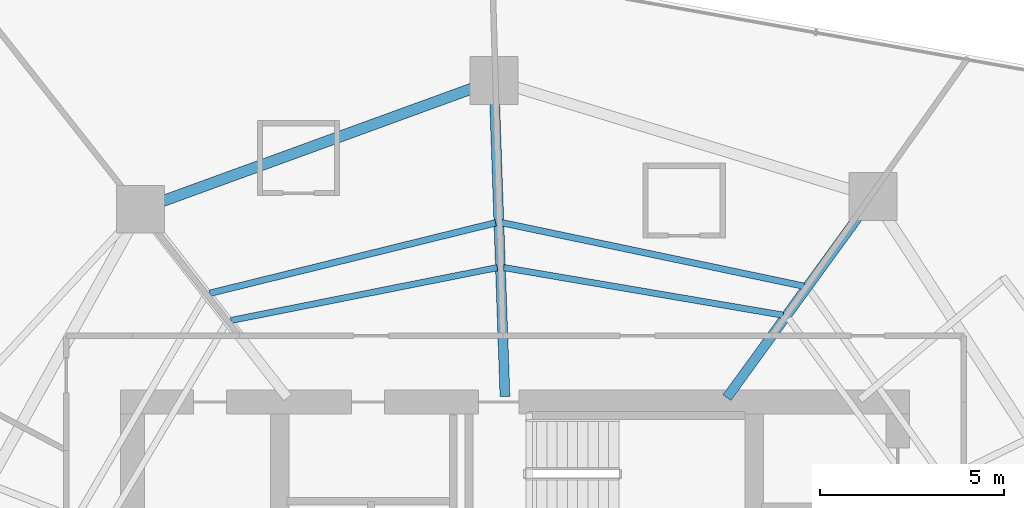
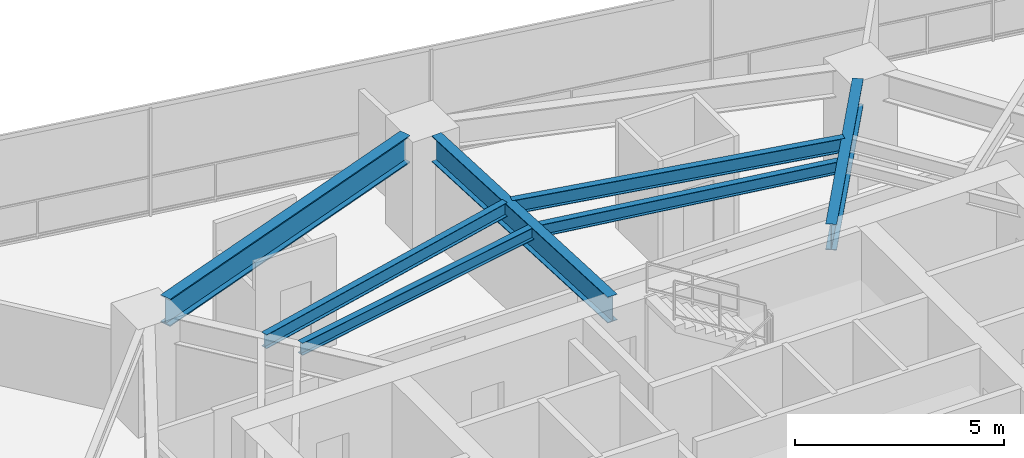
# One storey, part 20 of 33: 7 beams.
"""IFC4 building model written with IfcOpenShell, lengths in metres."""

import ifcopenshell
import ifcopenshell.guid

model = None  # the IFC model being written
_history = None  # IfcOwnerHistory: only IFC2X3 demands one
_inside = {}  # id of a spatial element -> (the spatial element, [elements in it])
_under = {}  # id of a project, library or spatial element -> (it, [spatial elements below it])
_declared = {}  # id of a project -> (the project, [libraries it declares])
_typed = {}  # id of a type object -> (the type object, [elements of that type])
_made_of = {}  # id of a material, layer set ... -> (it, [elements and type objects made of it])


def new_model(schema):
    """Start an empty IFC model of exactly this schema.

    Asked for "IFC4X3", IfcOpenShell would pick the latest addendum, in which some entities
    have other attributes; the version numbers below select the first issue.
    IFC2X3 requires an IfcOwnerHistory on every rooted entity: one is made here for all.
    """
    global model, _history
    if schema == "IFC4X3":
        model = ifcopenshell.file(schema_version=(4, 3, 0, 0))
    else:
        model = ifcopenshell.file(schema=schema)
    _inside.clear()
    _under.clear()
    _declared.clear()
    _typed.clear()
    _made_of.clear()
    _history = None
    if model.schema == "IFC2X3":
        org = make("IfcOrganization", Name="unknown")
        user = make(
            "IfcPersonAndOrganization",
            ThePerson=make("IfcPerson", FamilyName="unknown"),
            TheOrganization=org,
        )
        app = make(
            "IfcApplication",
            ApplicationDeveloper=org,
            Version="unknown",
            ApplicationFullName="unknown",
            ApplicationIdentifier="unknown",
        )
        _history = make(
            "IfcOwnerHistory",
            OwningUser=user,
            OwningApplication=app,
            ChangeAction="ADDED",
            CreationDate=0,
        )
    return model


def make(cls, **values):
    """One entity of the class cls with the attributes given. An attribute that is None is left unset."""
    return model.create_entity(
        cls, **{name: value for name, value in values.items() if value is not None}
    )


def rooted(cls, **values):
    """An entity with a GlobalId (a new one), such as an element, a storey or a relation."""
    return make(cls, GlobalId=ifcopenshell.guid.new(), OwnerHistory=_history, **values)


def si_unit(unit_type, name, prefix=None):
    """IfcSIUnit, for example si_unit("LENGTHUNIT", "METRE", prefix="MILLI")."""
    return make("IfcSIUnit", UnitType=unit_type, Prefix=prefix, Name=name)


def assignment(units):
    """IfcUnitAssignment: the units of a project."""
    return None if units is None else make("IfcUnitAssignment", Units=units)


def point(xyz):
    """IfcCartesianPoint."""
    return None if xyz is None else make("IfcCartesianPoint", Coordinates=xyz)


def direction(xyz):
    """IfcDirection."""
    return None if xyz is None else make("IfcDirection", DirectionRatios=xyz)


def frame(location, z_axis=None, x_axis=None):
    """IfcAxis2Placement3D, a coordinate frame: its origin and axes. An axis left out is left unset."""
    return make(
        "IfcAxis2Placement3D",
        Location=point(location),
        Axis=direction(z_axis),
        RefDirection=direction(x_axis),
    )


def frame_2d(location, x_axis=None):
    """IfcAxis2Placement2D, a coordinate frame in the plane: its origin and x axis."""
    return make(
        "IfcAxis2Placement2D", Location=point(location), RefDirection=direction(x_axis)
    )


def origin():
    """The frame at (0, 0, 0) with its axes left unset."""
    return frame((0.0, 0.0, 0.0))


def origin_2d():
    """The frame at (0, 0) in the plane with its x axis left unset."""
    return frame_2d((0.0, 0.0))


def place(relative_to, where):
    """IfcLocalPlacement: puts the frame where relative to a parent placement (None: the world)."""
    return make(
        "IfcLocalPlacement", PlacementRelTo=relative_to, RelativePlacement=where
    )


def context(
    kind, dimensions, precision=None, world=None, true_north=None, identifier=None
):
    """IfcGeometricRepresentationContext, for example the 3D "Model" context."""
    return make(
        "IfcGeometricRepresentationContext",
        ContextIdentifier=identifier,
        ContextType=kind,
        CoordinateSpaceDimension=dimensions,
        Precision=precision,
        WorldCoordinateSystem=world,
        TrueNorth=true_north,
    )


def subcontext(parent, identifier, kind, view, scale=None):
    """IfcGeometricRepresentationSubContext, for example "Body" below "Model"."""
    return make(
        "IfcGeometricRepresentationSubContext",
        ContextIdentifier=identifier,
        ContextType=kind,
        ParentContext=parent,
        TargetScale=scale,
        TargetView=view,
    )


def project(units=None, contexts=None):
    """IfcProject with its units and contexts."""
    return rooted(
        "IfcProject",
        Name="project",
        RepresentationContexts=contexts,
        UnitsInContext=assignment(units),
    )


def spatial(cls, under=None, at=None, **own):
    """A site, building, storey or space (cls), placed at a placement, below another one or the project."""
    s = rooted(cls, ObjectPlacement=at, **own)
    if under is not None:
        _under.setdefault(under.id(), (under, []))[1].append(s)
    return s


def profile(cls, at=None, kind="AREA", **sizes):
    """A parametric profile (cls). Its sizes go by their IFC names, for example OverallWidth=200.0."""
    return make(cls, ProfileType=kind, Position=at, **sizes)


def i_section(**sizes):
    """IfcIShapeProfileDef."""
    return profile("IfcIShapeProfileDef", **sizes)


def extrude(swept, where, along, depth):
    """IfcExtrudedAreaSolid: the profile swept, set in the frame where, extruded along a direction by depth."""
    return make(
        "IfcExtrudedAreaSolid",
        SweptArea=swept,
        Position=where,
        ExtrudedDirection=direction(along),
        Depth=depth,
    )


def shape(context_of_items, identifier, shape_type, items):
    """IfcShapeRepresentation: the items that make up one representation, for example the "Body"."""
    return make(
        "IfcShapeRepresentation",
        ContextOfItems=context_of_items,
        RepresentationIdentifier=identifier,
        RepresentationType=shape_type,
        Items=items,
    )


def material(Name=None, Category=None):
    """IfcMaterial."""
    return make("IfcMaterial", Name=Name, Category=Category)


def material_profile(
    of_material, cross_section, Name=None, Category=None, Priority=None
):
    """IfcMaterialProfile: a cross section and its material."""
    return make(
        "IfcMaterialProfile",
        Name=Name,
        Material=of_material,
        Profile=cross_section,
        Priority=Priority,
        Category=Category,
    )


def profile_set(profiles, Name=None, composite=None):
    """IfcMaterialProfileSet."""
    return make(
        "IfcMaterialProfileSet",
        Name=Name,
        MaterialProfiles=profiles,
        CompositeProfile=composite,
    )


def made_of(thing, what):
    """Note that an element or type object is made of a material, layer set ...; save() writes the relation."""
    if what is not None:
        _made_of.setdefault(what.id(), (what, []))[1].append(thing)
    return thing


def type_object(cls, material=None, **own):
    """A type object (cls), such as IfcWallType, which elements share."""
    return made_of(rooted(cls, **own), material)


def element(
    cls,
    number,
    at=None,
    inside=None,
    cuts=None,
    type_object=None,
    material=None,
    context=None,
    identifier="Body",
    shape_type=None,
    held_by="IfcProductDefinitionShape",
    body=None,
    shapes=None,
    **own,
):
    """One element of the class cls, such as IfcWall. Its Tag is "e" and its number.

    at: its placement. inside: the storey or other place that contains it. cuts: it is an
    opening in that element (IfcRelVoidsElement). A single representation is given by context,
    identifier, shape_type and body (its items); several are given by shapes. held_by: the class
    of the entity that holds the representations. save() writes the other relations.
    """
    e = rooted(cls, Tag="e%d" % number, ObjectPlacement=at, **own)
    if body is not None:
        shapes = [shape(context, identifier, shape_type, body)]
    if shapes is not None:
        e.Representation = make(held_by, Representations=shapes)
    if inside is not None:
        _inside.setdefault(inside.id(), (inside, []))[1].append(e)
    if cuts is not None:
        rooted(
            "IfcRelVoidsElement", RelatingBuildingElement=cuts, RelatedOpeningElement=e
        )
    if type_object is not None:
        _typed.setdefault(type_object.id(), (type_object, []))[1].append(e)
    return made_of(e, material)


def aggregate(whole, parts):
    """IfcRelAggregates: a whole, such as a stair, and the parts it consists of."""
    return rooted("IfcRelAggregates", RelatingObject=whole, RelatedObjects=parts)


def save(model, path):
    """Write the relations noted so far, then the file.

    IfcRelAggregates (storeys below a building ...), IfcRelContainedInSpatialStructure (elements
    in a storey), IfcRelDefinesByType, IfcRelAssociatesMaterial and IfcRelDeclares: one each for
    every whole, place, type object, material and project.
    """
    for whole, parts in _under.values():
        aggregate(whole, parts)
    for where, things in _inside.values():
        rooted(
            "IfcRelContainedInSpatialStructure",
            RelatedElements=things,
            RelatingStructure=where,
        )
    for kind, things in _typed.values():
        rooted("IfcRelDefinesByType", RelatedObjects=things, RelatingType=kind)
    for what, things in _made_of.values():
        rooted("IfcRelAssociatesMaterial", RelatedObjects=things, RelatingMaterial=what)
    for by, libraries in _declared.values():
        rooted("IfcRelDeclares", RelatingContext=by, RelatedDefinitions=libraries)
    model.write(path)


model = new_model("IFC4")

# Units and contexts
model_context = context("Model", 3, precision=1e-05, world=origin(), true_north=direction((0.0, 1.0)))
body_context = subcontext(model_context, "Body", "Model", "MODEL_VIEW")
ifc_project = project(units=[si_unit("LENGTHUNIT", "METRE"), si_unit("AREAUNIT", "SQUARE_METRE"), si_unit("VOLUMEUNIT", "CUBIC_METRE"), si_unit("PLANEANGLEUNIT", "RADIAN"), si_unit("MASSUNIT", "GRAM", prefix="KILO")], contexts=[model_context])

# Site, building, storey
site_placement = place(None, origin())
site = spatial("IfcSite", under=ifc_project, at=site_placement, CompositionType="ELEMENT")
building_placement = place(site_placement, origin())
building = spatial("IfcBuilding", under=site, at=building_placement, Name="Qarnah Convention Tower", CompositionType="ELEMENT")
storey_placement = place(building_placement, frame((0.0, 0.0, 30.449951171875)))
storey = spatial("IfcBuildingStorey", under=building, at=storey_placement, Name="L06", CompositionType="ELEMENT", Elevation=30.449951171875)

# Beams
ifc_material = material(Name="Structural steel S355JR", Category="steel")
ifc_material_profile_1 = material_profile(ifc_material, i_section(OverallWidth=0.172119140625, OverallDepth=0.35595703125, WebThickness=0.007080078125, FlangeThickness=0.011962890625, at=origin_2d()), Name="W360X51")
ifc_profile_set_1 = profile_set([ifc_material_profile_1], Name="Structural steel S355JR")
beam_type_1 = type_object("IfcBeamType", Name="BM-JST-W360", PredefinedType="JOIST", material=ifc_profile_set_1)
beam_1_placement = place(storey_placement, frame((44.48388671875, 36.56201171875, 2.991943359375), z_axis=(-0.985799304286, 0.167927757295, 0.0), x_axis=(-0.167927757295, -0.985799304286, 0.0)))
element("IfcBeam", 1, at=beam_1_placement, inside=storey, type_object=beam_type_1, Name="L06 joist BM-L06-IJST-02", PredefinedType="JOIST", context=body_context, shape_type="SweptSolid", body=[
    extrude(i_section(OverallWidth=0.172119140625, OverallDepth=0.35595703125, WebThickness=0.007080078125, FlangeThickness=0.011962890625, at=origin_2d()), origin(), (0.0, 0.0, 1.0), 7.705322265625),
])
beam_2_placement = place(storey_placement, frame((36.7109375, 37.85400390625, 2.991943359375), z_axis=(-0.980900097956, -0.194512204837, 0.0), x_axis=(0.194512204837, -0.980900097956, 0.0)))
element("IfcBeam", 2, at=beam_2_placement, inside=storey, type_object=beam_type_1, Name="L06 joist BM-L06-IJST-03", PredefinedType="JOIST", context=body_context, shape_type="SweptSolid", body=[
    extrude(i_section(OverallWidth=0.172119140625, OverallDepth=0.35595703125, WebThickness=0.007080078125, FlangeThickness=0.011962890625, at=origin_2d()), origin(), (0.0, 0.0, 1.0), 7.377685546875),
])
ifc_material_profile_2 = material_profile(ifc_material, i_section(OverallWidth=0.177978515625, OverallDepth=0.407958984375, WebThickness=0.008056640625, FlangeThickness=0.012939453125, at=origin_2d()), Name="W410X60")
ifc_profile_set_2 = profile_set([ifc_material_profile_2], Name="Structural steel S355JR")
beam_type_2 = type_object("IfcBeamType", Name="BM-JST-W410", PredefinedType="JOIST", material=ifc_profile_set_2)
beam_3_placement = place(storey_placement, frame((45.052978515625, 37.34912109375, 2.966064453125), z_axis=(-0.978606875393, 0.205739114982, 0.0), x_axis=(-0.205739114982, -0.978606875393, 0.0)))
element("IfcBeam", 3, at=beam_3_placement, inside=storey, type_object=beam_type_2, Name="L06 joist BM-L06-SJST-02", PredefinedType="JOIST", context=body_context, shape_type="SweptSolid", body=[
    extrude(i_section(OverallWidth=0.177978515625, OverallDepth=0.407958984375, WebThickness=0.008056640625, FlangeThickness=0.012939453125, at=origin_2d()), origin(), (0.0, 0.0, 1.0), 8.388427734375),
])
beam_4_placement = place(storey_placement, frame((36.6689453125, 39.072021484375, 2.966064453125), z_axis=(-0.970966049721, -0.239217328572, 0.0), x_axis=(0.239217328572, -0.970966049721, 0.0)))
element("IfcBeam", 4, at=beam_4_placement, inside=storey, type_object=beam_type_2, Name="L06 joist BM-L06-SJST-03", PredefinedType="JOIST", context=body_context, shape_type="SweptSolid", body=[
    extrude(i_section(OverallWidth=0.177978515625, OverallDepth=0.407958984375, WebThickness=0.008056640625, FlangeThickness=0.012939453125, at=origin_2d()), origin(), (0.0, 0.0, 1.0), 8.00146484375),
])
ifc_material_profile_3 = material_profile(ifc_material, i_section(OverallWidth=0.26806640625, OverallDepth=0.760009765625, WebThickness=0.014892578125, FlangeThickness=0.02197265625, at=origin_2d()), Name="W760X185")
ifc_profile_set_3 = profile_set([ifc_material_profile_3], Name="Structural steel S355JR")
beam_type_3 = type_object("IfcBeamType", Name="BM-RAD-W760", PredefinedType="BEAM", material=ifc_profile_set_3)
beam_5_placement = place(storey_placement, frame((42.955078125, 34.321044921875, 2.7900390625), z_axis=(0.587873224058, 0.808953071837, 0.0), x_axis=(-0.808953071837, 0.587873224058, 0.0)))
element("IfcBeam", 5, at=beam_5_placement, inside=storey, type_object=beam_type_3, Name="L06 beam BM-L06-RAD-02", PredefinedType="BEAM", context=body_context, shape_type="SweptSolid", body=[
    extrude(i_section(OverallWidth=0.26806640625, OverallDepth=0.760009765625, WebThickness=0.014892578125, FlangeThickness=0.02197265625, at=origin_2d()), origin(), (0.0, 0.0, 1.0), 6.12890625),
])
beam_6_placement = place(storey_placement, frame((36.922119140625, 34.35009765625, 2.7900390625), z_axis=(-0.034913066254, 0.999390353068, 0.0), x_axis=(-0.999390353068, -0.034913066254, 0.0)))
element("IfcBeam", 6, at=beam_6_placement, inside=storey, type_object=beam_type_3, Name="L06 beam BM-L06-RAD-03", PredefinedType="BEAM", context=body_context, shape_type="SweptSolid", body=[
    extrude(i_section(OverallWidth=0.26806640625, OverallDepth=0.760009765625, WebThickness=0.014892578125, FlangeThickness=0.02197265625, at=origin_2d()), origin(), (0.0, 0.0, 1.0), 7.96484375),
])
ifc_material_profile_4 = material_profile(ifc_material, i_section(OverallWidth=0.300048828125, OverallDepth=0.800048828125, WebThickness=0.01806640625, FlangeThickness=0.032958984375, at=origin_2d()), Name="HEB800")
ifc_profile_set_4 = profile_set([ifc_material_profile_4], Name="Structural steel S355JR")
beam_type_4 = type_object("IfcBeamType", Name="BM-RING-HEB800", PredefinedType="BEAM", material=ifc_profile_set_4)
beam_7_placement = place(storey_placement, frame((36.02099609375, 42.720947265625, 2.77001953125), z_axis=(-0.939712145037, -0.341966496121, 0.0), x_axis=(0.341966496121, -0.939712145037, 0.0)))
element("IfcBeam", 7, at=beam_7_placement, inside=storey, type_object=beam_type_4, Name="L06 beam BM-L06-SPN-03", PredefinedType="BEAM", context=body_context, shape_type="SweptSolid", body=[
    extrude(i_section(OverallWidth=0.300048828125, OverallDepth=0.800048828125, WebThickness=0.01806640625, FlangeThickness=0.032958984375, at=origin_2d()), origin(), (0.0, 0.0, 1.0), 8.948486328125),
])

save(model, "model.ifc")
